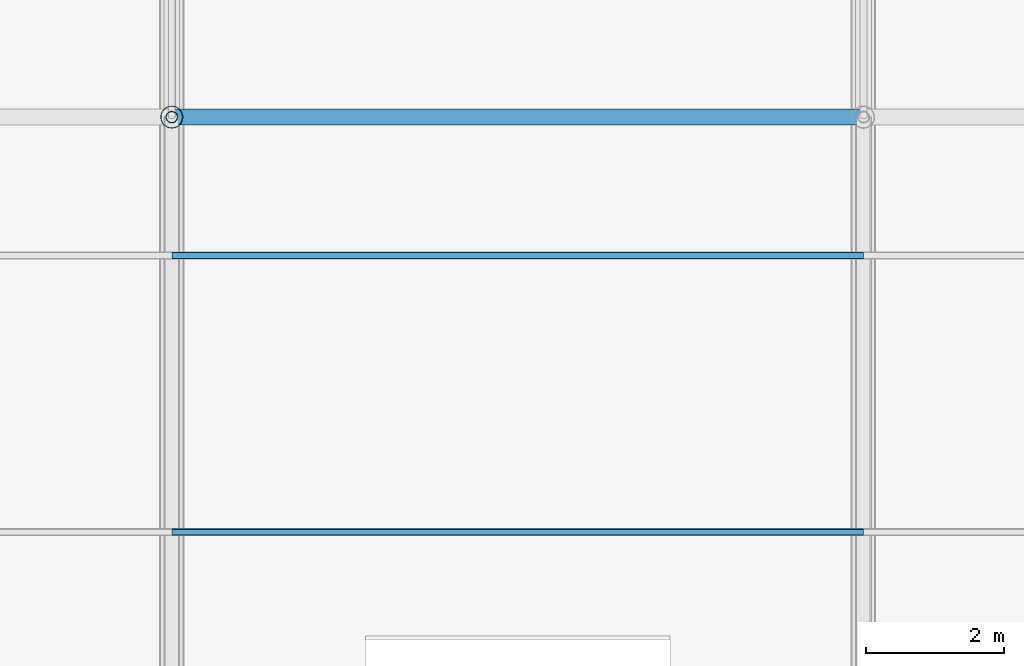
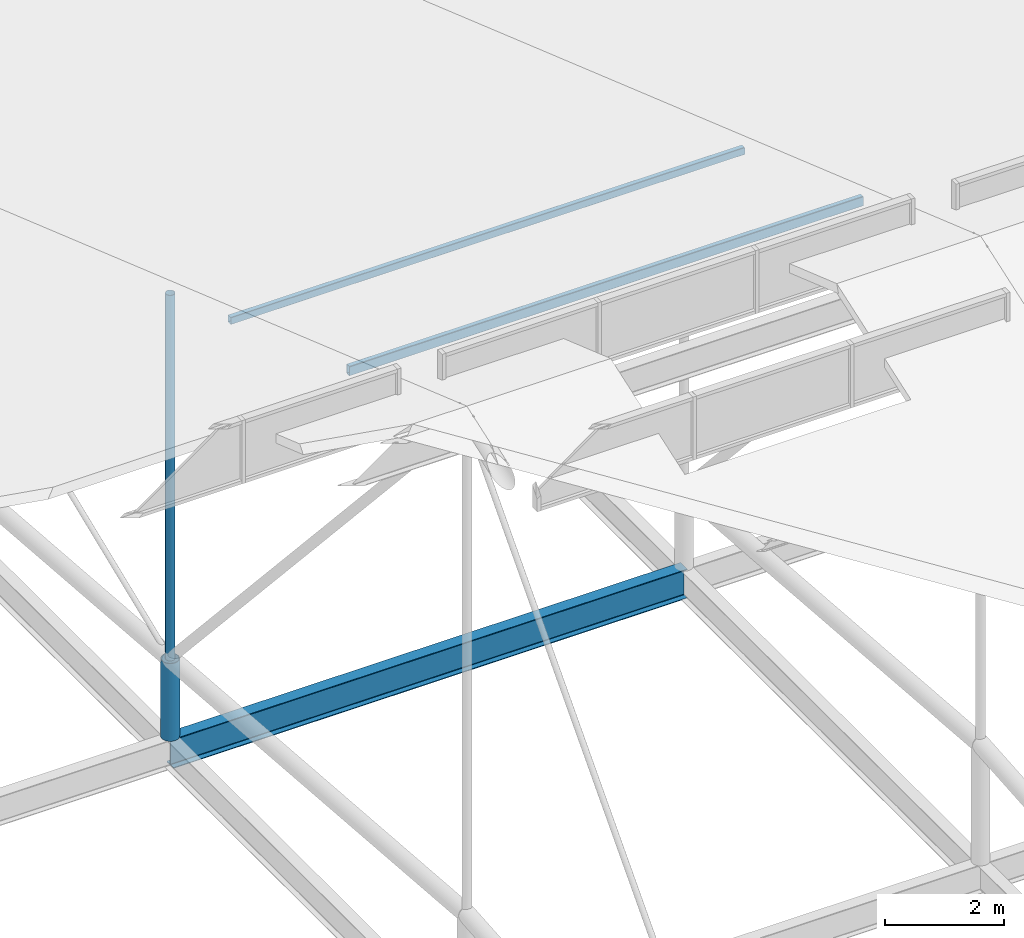
# One storey, part 40 of 93: 4 members, 1 beam.
"""IFC4 building model written with IfcOpenShell, lengths in metres."""

from ifc_helpers import new_model, si_unit, derived_unit, direction, frame, origin, origin_2d_with_axis, place, context, subcontext, project, spatial, hollow_rectangle, hollow_circle, i_section, extrude, material, material_profile, profile_set, type_object, element, save


model = new_model("IFC4")

# Units and contexts
model_context = context("Model", 3, precision=1e-05, world=origin(), true_north=direction((0.0, 1.0)))
body_context = subcontext(model_context, "Body", "Model", "MODEL_VIEW")
ifc_project = project(units=[si_unit("LENGTHUNIT", "METRE"), si_unit("AREAUNIT", "SQUARE_METRE"), si_unit("VOLUMEUNIT", "CUBIC_METRE"), si_unit("PLANEANGLEUNIT", "RADIAN"), si_unit("MASSUNIT", "GRAM", prefix="KILO"), derived_unit("THERMALTRANSMITTANCEUNIT", [(si_unit("POWERUNIT", "WATT"), 1), (si_unit("LENGTHUNIT", "METRE"), -2), (si_unit("THERMODYNAMICTEMPERATUREUNIT", "KELVIN"), -1)])], contexts=[model_context])

# Site, building, storey
site_placement = place(None, origin())
site = spatial("IfcSite", under=ifc_project, at=site_placement, CompositionType="ELEMENT")
building_placement = place(site_placement, origin())
building = spatial("IfcBuilding", under=site, at=building_placement, Name="Cinnabar Yard Market Hall", CompositionType="ELEMENT")
storey_placement = place(building_placement, frame((0.0, 0.0, 23.800048828125)))
storey = spatial("IfcBuildingStorey", under=building, at=storey_placement, Name="ROOF", CompositionType="ELEMENT", Elevation=23.800048828125)

# Beam
ifc_material_1 = material(Name="Steel Grade 300 (300 MPa)", Category="steel")
ifc_material_profile_1 = material_profile(ifc_material_1, i_section(OverallWidth=0.22802734375, OverallDepth=0.60205078125, WebThickness=0.010498046875, FlangeThickness=0.014892578125, FilletRadius=0.013916015625, at=origin_2d_with_axis()), Name="610UB101")
ifc_profile_set_1 = profile_set([ifc_material_profile_1], Name="Steel Grade 300 (300 MPa)")
beam_type = type_object("IfcBeamType", Name="BM-B02", PredefinedType="BEAM", material=ifc_profile_set_1)
beam_placement = place(storey_placement, frame((116.0, 54.0, -9.700927734375), z_axis=(1.0, 0.0, 0.0), x_axis=(0.0, 1.0, 0.0)))
element("IfcBeam", 1, at=beam_placement, inside=storey, type_object=beam_type, Name="Hall Longitudinal Tie Girder 00400", PredefinedType="BEAM", context=body_context, shape_type="SweptSolid", body=[
    extrude(i_section(OverallWidth=0.22802734375, OverallDepth=0.60205078125, WebThickness=0.010498046875, FlangeThickness=0.014892578125, FilletRadius=0.013916015625, at=origin_2d_with_axis()), origin(), (0.0, 0.0, 1.0), 10.0),
])

# Members
ifc_material_2 = material(Name="Cold-formed steel C350L0", Category="steel")
ifc_material_profile_2 = material_profile(ifc_material_2, hollow_rectangle(XDim=0.10009765625, YDim=0.199951171875, WallThickness=0.008056640625, InnerFilletRadius=0.008056640625, OuterFilletRadius=0.01611328125, at=origin_2d_with_axis()), Name="200x100x8.0RHS")
ifc_profile_set_2 = profile_set([ifc_material_profile_2], Name="Cold-formed steel C350L0")
member_type_1 = type_object("IfcMemberType", Name="MB-PU08", PredefinedType="PURLIN", material=ifc_profile_set_2)
member_1_placement = place(storey_placement, frame((116.0, 48.0, 1.767578125), z_axis=(1.0, 0.0, 0.0), x_axis=(0.0, 1.0, 0.0)))
element("IfcMember", 2, at=member_1_placement, inside=storey, type_object=member_type_1, Name="Hall Roof Purlin Y48 X116", PredefinedType="PURLIN", context=body_context, shape_type="SweptSolid", body=[
    extrude(hollow_rectangle(XDim=0.10009765625, YDim=0.199951171875, WallThickness=0.008056640625, InnerFilletRadius=0.008056640625, OuterFilletRadius=0.01611328125, at=origin_2d_with_axis()), origin(), (0.0, 0.0, 1.0), 10.0),
])
ifc_material_profile_3 = material_profile(ifc_material_2, hollow_rectangle(XDim=0.10009765625, YDim=0.14990234375, WallThickness=0.006103515625, InnerFilletRadius=0.006103515625, OuterFilletRadius=0.011962890625, at=origin_2d_with_axis()), Name="150x100x6.0RHS")
ifc_profile_set_3 = profile_set([ifc_material_profile_3], Name="Cold-formed steel C350L0")
member_type_2 = type_object("IfcMemberType", Name="MB-PU09", PredefinedType="PURLIN", material=ifc_profile_set_3)
member_2_placement = place(storey_placement, frame((116.0, 52.0, 0.37548828125), z_axis=(1.0, 0.0, 0.0), x_axis=(0.0, 1.0, 0.0)))
element("IfcMember", 3, at=member_2_placement, inside=storey, type_object=member_type_2, Name="Hall Roof Purlin Y52 X116", PredefinedType="PURLIN", context=body_context, shape_type="SweptSolid", body=[
    extrude(hollow_rectangle(XDim=0.10009765625, YDim=0.14990234375, WallThickness=0.006103515625, InnerFilletRadius=0.006103515625, OuterFilletRadius=0.011962890625, at=origin_2d_with_axis()), origin(), (0.0, 0.0, 1.0), 10.0),
])
ifc_material_3 = material(Name="Spotted-gum glulam-clad steel Grade 350 (350 MPa)", Category="steel")
ifc_material_profile_4 = material_profile(ifc_material_3, hollow_circle(Radius=0.161865234375, WallThickness=0.009521484375, at=origin_2d_with_axis()), Name="323.9x9.5CHS")
ifc_profile_set_4 = profile_set([ifc_material_profile_4], Name="Spotted-gum glulam-clad steel Grade 350 (350 MPa)")
member_type_3 = type_object("IfcMemberType", Name="MB-ST01", PredefinedType="STRUT", material=ifc_profile_set_4)
member_3_placement = place(storey_placement, frame((116.0, 54.0, -9.400146484375), z_axis=(0.0, 0.0, 1.0), x_axis=(1.0, 0.0, 0.0)))
element("IfcMember", 4, at=member_3_placement, inside=storey, type_object=member_type_3, Name="Truss Bearing Post 116-54", PredefinedType="STRUT", context=body_context, shape_type="SweptSolid", body=[
    extrude(hollow_circle(Radius=0.161865234375, WallThickness=0.009521484375, at=origin_2d_with_axis()), origin(), (0.0, 0.0, 1.0), 1.60009765625),
])
ifc_material_profile_5 = material_profile(ifc_material_2, hollow_circle(Radius=0.084228515625, WallThickness=0.00634765625, at=origin_2d_with_axis()), Name="168.3x6.4CHS")
ifc_profile_set_5 = profile_set([ifc_material_profile_5], Name="Cold-formed steel C350L0")
member_type_4 = type_object("IfcMemberType", Name="MB-WB01", PredefinedType="STRUT", material=ifc_profile_set_5)
member_4_placement = place(storey_placement, frame((116.0, 54.0, -7.800048828125), z_axis=(0.0, 0.0, 1.0), x_axis=(1.0, 0.0, 0.0)))
element("IfcMember", 5, at=member_4_placement, inside=storey, type_object=member_type_4, Name="Hall Truss 116 Post 4", PredefinedType="STRUT", context=body_context, shape_type="SweptSolid", body=[
    extrude(hollow_circle(Radius=0.084228515625, WallThickness=0.00634765625, at=origin_2d_with_axis()), origin(), (0.0, 0.0, 1.0), 7.519287109375),
])

save(model, "model.ifc")
